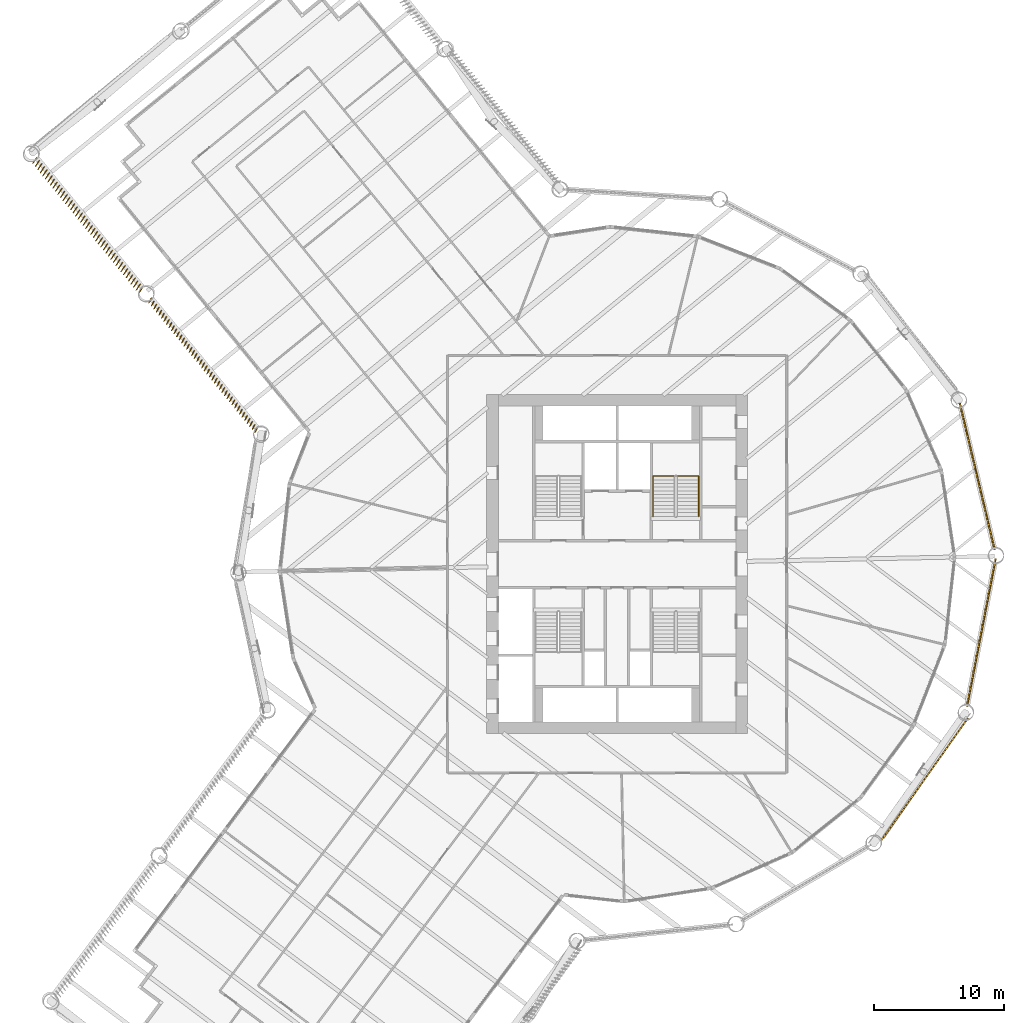
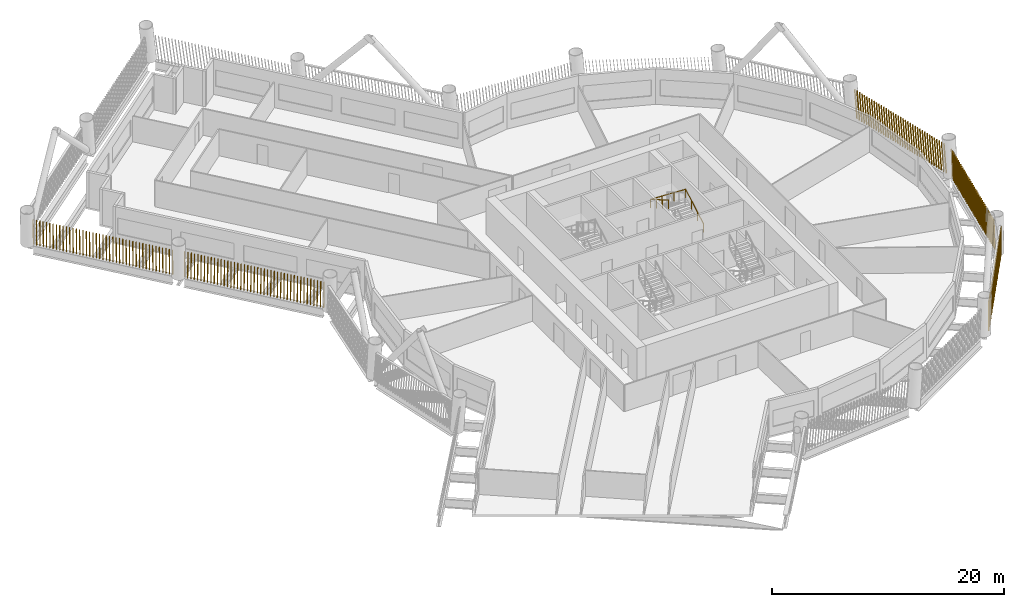
# One storey, part 20 of 22: 5 shading devices, 1 railing.
"""IFC4 building model written with IfcOpenShell, lengths in metres."""

import ifcopenshell
import ifcopenshell.guid

model = None  # the IFC model being written
_history = None  # IfcOwnerHistory: only IFC2X3 demands one
_inside = {}  # id of a spatial element -> (the spatial element, [elements in it])
_under = {}  # id of a project, library or spatial element -> (it, [spatial elements below it])
_declared = {}  # id of a project -> (the project, [libraries it declares])
_typed = {}  # id of a type object -> (the type object, [elements of that type])
_made_of = {}  # id of a material, layer set ... -> (it, [elements and type objects made of it])


def new_model(schema):
    """Start an empty IFC model of exactly this schema.

    Asked for "IFC4X3", IfcOpenShell would pick the latest addendum, in which some entities
    have other attributes; the version numbers below select the first issue.
    IFC2X3 requires an IfcOwnerHistory on every rooted entity: one is made here for all.
    """
    global model, _history
    if schema == "IFC4X3":
        model = ifcopenshell.file(schema_version=(4, 3, 0, 0))
    else:
        model = ifcopenshell.file(schema=schema)
    _inside.clear()
    _under.clear()
    _declared.clear()
    _typed.clear()
    _made_of.clear()
    _history = None
    if model.schema == "IFC2X3":
        org = make("IfcOrganization", Name="unknown")
        user = make(
            "IfcPersonAndOrganization",
            ThePerson=make("IfcPerson", FamilyName="unknown"),
            TheOrganization=org,
        )
        app = make(
            "IfcApplication",
            ApplicationDeveloper=org,
            Version="unknown",
            ApplicationFullName="unknown",
            ApplicationIdentifier="unknown",
        )
        _history = make(
            "IfcOwnerHistory",
            OwningUser=user,
            OwningApplication=app,
            ChangeAction="ADDED",
            CreationDate=0,
        )
    return model


def make(cls, **values):
    """One entity of the class cls with the attributes given. An attribute that is None is left unset."""
    return model.create_entity(
        cls, **{name: value for name, value in values.items() if value is not None}
    )


def rooted(cls, **values):
    """An entity with a GlobalId (a new one), such as an element, a storey or a relation."""
    return make(cls, GlobalId=ifcopenshell.guid.new(), OwnerHistory=_history, **values)


def si_unit(unit_type, name, prefix=None):
    """IfcSIUnit, for example si_unit("LENGTHUNIT", "METRE", prefix="MILLI")."""
    return make("IfcSIUnit", UnitType=unit_type, Prefix=prefix, Name=name)


def assignment(units):
    """IfcUnitAssignment: the units of a project."""
    return None if units is None else make("IfcUnitAssignment", Units=units)


def point(xyz):
    """IfcCartesianPoint."""
    return None if xyz is None else make("IfcCartesianPoint", Coordinates=xyz)


def direction(xyz):
    """IfcDirection."""
    return None if xyz is None else make("IfcDirection", DirectionRatios=xyz)


def frame(location, z_axis=None, x_axis=None):
    """IfcAxis2Placement3D, a coordinate frame: its origin and axes. An axis left out is left unset."""
    return make(
        "IfcAxis2Placement3D",
        Location=point(location),
        Axis=direction(z_axis),
        RefDirection=direction(x_axis),
    )


def frame_2d(location, x_axis=None):
    """IfcAxis2Placement2D, a coordinate frame in the plane: its origin and x axis."""
    return make(
        "IfcAxis2Placement2D", Location=point(location), RefDirection=direction(x_axis)
    )


def origin():
    """The frame at (0, 0, 0) with its axes left unset."""
    return frame((0.0, 0.0, 0.0))


def origin_2d():
    """The frame at (0, 0) in the plane with its x axis left unset."""
    return frame_2d((0.0, 0.0))


def place(relative_to, where):
    """IfcLocalPlacement: puts the frame where relative to a parent placement (None: the world)."""
    return make(
        "IfcLocalPlacement", PlacementRelTo=relative_to, RelativePlacement=where
    )


def context(
    kind, dimensions, precision=None, world=None, true_north=None, identifier=None
):
    """IfcGeometricRepresentationContext, for example the 3D "Model" context."""
    return make(
        "IfcGeometricRepresentationContext",
        ContextIdentifier=identifier,
        ContextType=kind,
        CoordinateSpaceDimension=dimensions,
        Precision=precision,
        WorldCoordinateSystem=world,
        TrueNorth=true_north,
    )


def subcontext(parent, identifier, kind, view, scale=None):
    """IfcGeometricRepresentationSubContext, for example "Body" below "Model"."""
    return make(
        "IfcGeometricRepresentationSubContext",
        ContextIdentifier=identifier,
        ContextType=kind,
        ParentContext=parent,
        TargetScale=scale,
        TargetView=view,
    )


def project(units=None, contexts=None):
    """IfcProject with its units and contexts."""
    return rooted(
        "IfcProject",
        Name="project",
        RepresentationContexts=contexts,
        UnitsInContext=assignment(units),
    )


def spatial(cls, under=None, at=None, **own):
    """A site, building, storey or space (cls), placed at a placement, below another one or the project."""
    s = rooted(cls, ObjectPlacement=at, **own)
    if under is not None:
        _under.setdefault(under.id(), (under, []))[1].append(s)
    return s


def profile(cls, at=None, kind="AREA", **sizes):
    """A parametric profile (cls). Its sizes go by their IFC names, for example OverallWidth=200.0."""
    return make(cls, ProfileType=kind, Position=at, **sizes)


def rectangle(**sizes):
    """IfcRectangleProfileDef."""
    return profile("IfcRectangleProfileDef", **sizes)


def circle(**sizes):
    """IfcCircleProfileDef."""
    return profile("IfcCircleProfileDef", **sizes)


def composite_profile(profiles, kind="AREA"):
    """IfcCompositeProfileDef: several profiles as one."""
    return make("IfcCompositeProfileDef", ProfileType=kind, Profiles=profiles)


def extrude(swept, where, along, depth):
    """IfcExtrudedAreaSolid: the profile swept, set in the frame where, extruded along a direction by depth."""
    return make(
        "IfcExtrudedAreaSolid",
        SweptArea=swept,
        Position=where,
        ExtrudedDirection=direction(along),
        Depth=depth,
    )


def shape(context_of_items, identifier, shape_type, items):
    """IfcShapeRepresentation: the items that make up one representation, for example the "Body"."""
    return make(
        "IfcShapeRepresentation",
        ContextOfItems=context_of_items,
        RepresentationIdentifier=identifier,
        RepresentationType=shape_type,
        Items=items,
    )


def material(Name=None, Category=None):
    """IfcMaterial."""
    return make("IfcMaterial", Name=Name, Category=Category)


def made_of(thing, what):
    """Note that an element or type object is made of a material, layer set ...; save() writes the relation."""
    if what is not None:
        _made_of.setdefault(what.id(), (what, []))[1].append(thing)
    return thing


def type_object(cls, material=None, **own):
    """A type object (cls), such as IfcWallType, which elements share."""
    return made_of(rooted(cls, **own), material)


def element(
    cls,
    number,
    at=None,
    inside=None,
    cuts=None,
    type_object=None,
    material=None,
    context=None,
    identifier="Body",
    shape_type=None,
    held_by="IfcProductDefinitionShape",
    body=None,
    shapes=None,
    **own,
):
    """One element of the class cls, such as IfcWall. Its Tag is "e" and its number.

    at: its placement. inside: the storey or other place that contains it. cuts: it is an
    opening in that element (IfcRelVoidsElement). A single representation is given by context,
    identifier, shape_type and body (its items); several are given by shapes. held_by: the class
    of the entity that holds the representations. save() writes the other relations.
    """
    e = rooted(cls, Tag="e%d" % number, ObjectPlacement=at, **own)
    if body is not None:
        shapes = [shape(context, identifier, shape_type, body)]
    if shapes is not None:
        e.Representation = make(held_by, Representations=shapes)
    if inside is not None:
        _inside.setdefault(inside.id(), (inside, []))[1].append(e)
    if cuts is not None:
        rooted(
            "IfcRelVoidsElement", RelatingBuildingElement=cuts, RelatedOpeningElement=e
        )
    if type_object is not None:
        _typed.setdefault(type_object.id(), (type_object, []))[1].append(e)
    return made_of(e, material)


def aggregate(whole, parts):
    """IfcRelAggregates: a whole, such as a stair, and the parts it consists of."""
    return rooted("IfcRelAggregates", RelatingObject=whole, RelatedObjects=parts)


def save(model, path):
    """Write the relations noted so far, then the file.

    IfcRelAggregates (storeys below a building ...), IfcRelContainedInSpatialStructure (elements
    in a storey), IfcRelDefinesByType, IfcRelAssociatesMaterial and IfcRelDeclares: one each for
    every whole, place, type object, material and project.
    """
    for whole, parts in _under.values():
        aggregate(whole, parts)
    for where, things in _inside.values():
        rooted(
            "IfcRelContainedInSpatialStructure",
            RelatedElements=things,
            RelatingStructure=where,
        )
    for kind, things in _typed.values():
        rooted("IfcRelDefinesByType", RelatedObjects=things, RelatingType=kind)
    for what, things in _made_of.values():
        rooted("IfcRelAssociatesMaterial", RelatedObjects=things, RelatingMaterial=what)
    for by, libraries in _declared.values():
        rooted("IfcRelDeclares", RelatingContext=by, RelatedDefinitions=libraries)
    model.write(path)


model = new_model("IFC4")

# Units and contexts
model_context = context("Model", 3, precision=1e-05, world=origin(), true_north=direction((0.0, 1.0)))
body_context = subcontext(model_context, "Body", "Model", "MODEL_VIEW")
ifc_project = project(units=[si_unit("LENGTHUNIT", "METRE"), si_unit("AREAUNIT", "SQUARE_METRE"), si_unit("VOLUMEUNIT", "CUBIC_METRE"), si_unit("PLANEANGLEUNIT", "RADIAN"), si_unit("MASSUNIT", "GRAM", prefix="KILO")], contexts=[model_context])

# Site, building, storey
site_placement = place(None, origin())
site = spatial("IfcSite", under=ifc_project, at=site_placement, CompositionType="ELEMENT")
building_placement = place(site_placement, origin())
building = spatial("IfcBuilding", under=site, at=building_placement, Name="Tarsis Ring Headquarters", CompositionType="ELEMENT")
storey_placement = place(building_placement, frame((0.0, 0.0, 40.0)))
storey = spatial("IfcBuildingStorey", under=building, at=storey_placement, Name="L07", CompositionType="ELEMENT", Elevation=40.0)

# Railing
ifc_material_1 = material(Name="Steel S355", Category="steel")
railing_type = type_object("IfcRailingType", Name="Core stair handrail 900", PredefinedType="HANDRAIL", material=ifc_material_1)
railing_placement = place(storey_placement, frame((6.25, 3.659912109375, 0.16259765625)))
element("IfcRailing", 1, at=railing_placement, inside=storey, type_object=railing_type, Name="L07 ST2 stair handrail 1", PredefinedType="HANDRAIL", context=body_context, shape_type="SweptSolid", body=[
    extrude(circle(Radius=0.02392578125, at=origin_2d()), frame((0.0, 0.0, 0.8759765625), z_axis=(0.0, 0.864920483161, 0.501908913857), x_axis=(-1.0, 0.0, 0.0)), (0.0, 0.0, 1.0), 3.56103515625),
    extrude(circle(Radius=0.02392578125, at=origin_2d()), frame((0.0, 3.080078125, 2.6630859375), z_axis=(-0.998922641604, 0.0, 0.046406422943), x_axis=(0.0, -1.0, 0.0)), (0.0, 0.0, 1.0), 3.503662109375),
    extrude(circle(Radius=0.02392578125, at=origin_2d()), frame((-3.5, 3.080078125, 2.82568359375), z_axis=(0.0, -0.864920483161, 0.501908913857), x_axis=(1.0, 0.0, 0.0)), (0.0, 0.0, 1.0), 3.56103515625),
    extrude(circle(Radius=0.02099609375, at=origin_2d()), origin(), (0.0, 0.0, 1.0), 0.851806640625),
    extrude(circle(Radius=0.02099609375, at=origin_2d()), frame((0.0, 1.026611328125, 0.595703125)), (0.0, 0.0, 1.0), 0.851806640625),
    extrude(circle(Radius=0.02099609375, at=origin_2d()), frame((0.0, 2.053466796875, 1.191650390625)), (0.0, 0.0, 1.0), 0.851806640625),
    extrude(circle(Radius=0.02099609375, at=origin_2d()), frame((0.0, 3.080078125, 1.787353515625)), (0.0, 0.0, 1.0), 0.851806640625),
    extrude(circle(Radius=0.02099609375, at=origin_2d()), frame((-1.166748046875, 3.080078125, 1.841552734375)), (0.0, 0.0, 1.0), 0.851806640625),
    extrude(circle(Radius=0.02099609375, at=origin_2d()), frame((-2.333251953125, 3.080078125, 1.895751953125)), (0.0, 0.0, 1.0), 0.851806640625),
    extrude(circle(Radius=0.02099609375, at=origin_2d()), frame((-3.5, 3.080078125, 1.949951171875)), (0.0, 0.0, 1.0), 0.851806640625),
    extrude(circle(Radius=0.02099609375, at=origin_2d()), frame((-3.5, 2.053466796875, 2.545654296875)), (0.0, 0.0, 1.0), 0.851806640625),
    extrude(circle(Radius=0.02099609375, at=origin_2d()), frame((-3.5, 1.026611328125, 3.1416015625)), (0.0, 0.0, 1.0), 0.851806640625),
    extrude(circle(Radius=0.02099609375, at=origin_2d()), frame((-3.5, 0.0, 3.7373046875)), (0.0, 0.0, 1.0), 0.851806640625),
])

# Shading devices
ifc_material_2 = material(Name="Terracotta baguette", Category="masonry")
shading_device_type = type_object("IfcShadingDeviceType", Name="Terracotta baguette screen", PredefinedType="USERDEFINED", material=ifc_material_2)
shading_device_1_placement = place(storey_placement, frame((20.2255859375, -21.220458984375, 0.0), z_axis=(0.0, 0.0, 1.0), x_axis=(0.578057514921, 0.815995659251, 0.0)))
element("IfcShadingDevice", 2, at=shading_device_1_placement, inside=storey, type_object=shading_device_type, Name="Baguette screen L07-09", ObjectType="Terracotta baguette screen", PredefinedType="USERDEFINED", context=body_context, shape_type="SweptSolid", body=[
    extrude(composite_profile([rectangle(XDim=0.06005859375, YDim=0.1201171875, at=frame_2d((0.030029296875, 0.0))), rectangle(XDim=0.06005859375, YDim=0.1201171875, at=frame_2d((0.33251953125, 0.0))), rectangle(XDim=0.06005859375, YDim=0.1201171875, at=frame_2d((0.634765625, 0.0))), rectangle(XDim=0.06005859375, YDim=0.1201171875, at=frame_2d((0.937255859375, 0.0))), rectangle(XDim=0.06005859375, YDim=0.1201171875, at=frame_2d((1.239501953125, 0.0))), rectangle(XDim=0.06005859375, YDim=0.1201171875, at=frame_2d((1.5419921875, 0.0))), rectangle(XDim=0.06005859375, YDim=0.1201171875, at=frame_2d((1.844482421875, 0.0))), rectangle(XDim=0.06005859375, YDim=0.1201171875, at=frame_2d((2.146728515625, 0.0))), rectangle(XDim=0.06005859375, YDim=0.1201171875, at=frame_2d((2.44921875, 0.0))), rectangle(XDim=0.06005859375, YDim=0.1201171875, at=frame_2d((2.751708984375, 0.0))), rectangle(XDim=0.06005859375, YDim=0.1201171875, at=frame_2d((3.053955078125, 0.0))), rectangle(XDim=0.06005859375, YDim=0.1201171875, at=frame_2d((3.3564453125, 0.0))), rectangle(XDim=0.06005859375, YDim=0.1201171875, at=frame_2d((3.65869140625, 0.0))), rectangle(XDim=0.06005859375, YDim=0.1201171875, at=frame_2d((3.961181640625, 0.0))), rectangle(XDim=0.06005859375, YDim=0.1201171875, at=frame_2d((4.263671875, 0.0))), rectangle(XDim=0.06005859375, YDim=0.1201171875, at=frame_2d((4.56591796875, 0.0))), rectangle(XDim=0.06005859375, YDim=0.1201171875, at=frame_2d((4.868408203125, 0.0))), rectangle(XDim=0.06005859375, YDim=0.1201171875, at=frame_2d((5.1708984375, 0.0))), rectangle(XDim=0.06005859375, YDim=0.1201171875, at=frame_2d((5.47314453125, 0.0))), rectangle(XDim=0.06005859375, YDim=0.1201171875, at=frame_2d((5.775634765625, 0.0))), rectangle(XDim=0.06005859375, YDim=0.1201171875, at=frame_2d((6.077880859375, 0.0))), rectangle(XDim=0.06005859375, YDim=0.1201171875, at=frame_2d((6.38037109375, 0.0))), rectangle(XDim=0.06005859375, YDim=0.1201171875, at=frame_2d((6.682861328125, 0.0))), rectangle(XDim=0.06005859375, YDim=0.1201171875, at=frame_2d((6.985107421875, 0.0))), rectangle(XDim=0.06005859375, YDim=0.1201171875, at=frame_2d((7.28759765625, 0.0))), rectangle(XDim=0.06005859375, YDim=0.1201171875, at=frame_2d((7.590087890625, 0.0))), rectangle(XDim=0.06005859375, YDim=0.1201171875, at=frame_2d((7.892333984375, 0.0))), rectangle(XDim=0.06005859375, YDim=0.1201171875, at=frame_2d((8.19482421875, 0.0))), rectangle(XDim=0.06005859375, YDim=0.1201171875, at=frame_2d((8.4970703125, 0.0))), rectangle(XDim=0.06005859375, YDim=0.1201171875, at=frame_2d((8.799560546875, 0.0))), rectangle(XDim=0.06005859375, YDim=0.1201171875, at=frame_2d((9.10205078125, 0.0))), rectangle(XDim=0.06005859375, YDim=0.1201171875, at=frame_2d((9.404296875, 0.0))), rectangle(XDim=0.06005859375, YDim=0.1201171875, at=frame_2d((9.706787109375, 0.0))), rectangle(XDim=0.06005859375, YDim=0.1201171875, at=frame_2d((10.00927734375, 0.0))), rectangle(XDim=0.06005859375, YDim=0.1201171875, at=frame_2d((10.3115234375, 0.0))), rectangle(XDim=0.06005859375, YDim=0.1201171875, at=frame_2d((10.614013671875, 0.0))), rectangle(XDim=0.06005859375, YDim=0.1201171875, at=frame_2d((10.916259765625, 0.0))), rectangle(XDim=0.06005859375, YDim=0.1201171875, at=frame_2d((11.21875, 0.0)))]), origin(), (0.101510342478, 0.00053222353, 0.99483434154), 2.968017578125),
])
shading_device_2_placement = place(storey_placement, frame((26.80615234375, -10.92578125, 0.0), z_axis=(0.0, 0.0, 1.0), x_axis=(0.190320130222, 0.98172544764, 0.0)))
element("IfcShadingDevice", 3, at=shading_device_2_placement, inside=storey, type_object=shading_device_type, Name="Baguette screen L07-10", ObjectType="Terracotta baguette screen", PredefinedType="USERDEFINED", context=body_context, shape_type="SweptSolid", body=[
    extrude(composite_profile([rectangle(XDim=0.06005859375, YDim=0.1201171875, at=frame_2d((0.030029296875, 0.0))), rectangle(XDim=0.06005859375, YDim=0.1201171875, at=frame_2d((0.33251953125, 0.0))), rectangle(XDim=0.06005859375, YDim=0.1201171875, at=frame_2d((0.634765625, 0.0))), rectangle(XDim=0.06005859375, YDim=0.1201171875, at=frame_2d((0.937255859375, 0.0))), rectangle(XDim=0.06005859375, YDim=0.1201171875, at=frame_2d((1.239501953125, 0.0))), rectangle(XDim=0.06005859375, YDim=0.1201171875, at=frame_2d((1.5419921875, 0.0))), rectangle(XDim=0.06005859375, YDim=0.1201171875, at=frame_2d((1.844482421875, 0.0))), rectangle(XDim=0.06005859375, YDim=0.1201171875, at=frame_2d((2.146728515625, 0.0))), rectangle(XDim=0.06005859375, YDim=0.1201171875, at=frame_2d((2.44921875, 0.0))), rectangle(XDim=0.06005859375, YDim=0.1201171875, at=frame_2d((2.751708984375, 0.0))), rectangle(XDim=0.06005859375, YDim=0.1201171875, at=frame_2d((3.053955078125, 0.0))), rectangle(XDim=0.06005859375, YDim=0.1201171875, at=frame_2d((3.3564453125, 0.0))), rectangle(XDim=0.06005859375, YDim=0.1201171875, at=frame_2d((3.65869140625, 0.0))), rectangle(XDim=0.06005859375, YDim=0.1201171875, at=frame_2d((3.961181640625, 0.0))), rectangle(XDim=0.06005859375, YDim=0.1201171875, at=frame_2d((4.263671875, 0.0))), rectangle(XDim=0.06005859375, YDim=0.1201171875, at=frame_2d((4.56591796875, 0.0))), rectangle(XDim=0.06005859375, YDim=0.1201171875, at=frame_2d((4.868408203125, 0.0))), rectangle(XDim=0.06005859375, YDim=0.1201171875, at=frame_2d((5.1708984375, 0.0))), rectangle(XDim=0.06005859375, YDim=0.1201171875, at=frame_2d((5.47314453125, 0.0))), rectangle(XDim=0.06005859375, YDim=0.1201171875, at=frame_2d((5.775634765625, 0.0))), rectangle(XDim=0.06005859375, YDim=0.1201171875, at=frame_2d((6.077880859375, 0.0))), rectangle(XDim=0.06005859375, YDim=0.1201171875, at=frame_2d((6.38037109375, 0.0))), rectangle(XDim=0.06005859375, YDim=0.1201171875, at=frame_2d((6.682861328125, 0.0))), rectangle(XDim=0.06005859375, YDim=0.1201171875, at=frame_2d((6.985107421875, 0.0))), rectangle(XDim=0.06005859375, YDim=0.1201171875, at=frame_2d((7.28759765625, 0.0))), rectangle(XDim=0.06005859375, YDim=0.1201171875, at=frame_2d((7.590087890625, 0.0))), rectangle(XDim=0.06005859375, YDim=0.1201171875, at=frame_2d((7.892333984375, 0.0))), rectangle(XDim=0.06005859375, YDim=0.1201171875, at=frame_2d((8.19482421875, 0.0))), rectangle(XDim=0.06005859375, YDim=0.1201171875, at=frame_2d((8.4970703125, 0.0))), rectangle(XDim=0.06005859375, YDim=0.1201171875, at=frame_2d((8.799560546875, 0.0))), rectangle(XDim=0.06005859375, YDim=0.1201171875, at=frame_2d((9.10205078125, 0.0))), rectangle(XDim=0.06005859375, YDim=0.1201171875, at=frame_2d((9.404296875, 0.0))), rectangle(XDim=0.06005859375, YDim=0.1201171875, at=frame_2d((9.706787109375, 0.0))), rectangle(XDim=0.06005859375, YDim=0.1201171875, at=frame_2d((10.00927734375, 0.0))), rectangle(XDim=0.06005859375, YDim=0.1201171875, at=frame_2d((10.3115234375, 0.0))), rectangle(XDim=0.06005859375, YDim=0.1201171875, at=frame_2d((10.614013671875, 0.0))), rectangle(XDim=0.06005859375, YDim=0.1201171875, at=frame_2d((10.916259765625, 0.0))), rectangle(XDim=0.06005859375, YDim=0.1201171875, at=frame_2d((11.21875, 0.0)))]), origin(), (0.100200935644, 0.000524825707, 0.994967083402), 2.967529296875),
])
shading_device_3_placement = place(storey_placement, frame((28.926513671875, 1.0947265625, 0.0), z_axis=(0.0, 0.0, 1.0), x_axis=(-0.231248372255, 0.972892612206, 0.0)))
element("IfcShadingDevice", 4, at=shading_device_3_placement, inside=storey, type_object=shading_device_type, Name="Baguette screen L07-11", ObjectType="Terracotta baguette screen", PredefinedType="USERDEFINED", context=body_context, shape_type="SweptSolid", body=[
    extrude(composite_profile([rectangle(XDim=0.06005859375, YDim=0.1201171875, at=frame_2d((0.030029296875, 0.0))), rectangle(XDim=0.06005859375, YDim=0.1201171875, at=frame_2d((0.33251953125, 0.0))), rectangle(XDim=0.06005859375, YDim=0.1201171875, at=frame_2d((0.634765625, 0.0))), rectangle(XDim=0.06005859375, YDim=0.1201171875, at=frame_2d((0.937255859375, 0.0))), rectangle(XDim=0.06005859375, YDim=0.1201171875, at=frame_2d((1.239501953125, 0.0))), rectangle(XDim=0.06005859375, YDim=0.1201171875, at=frame_2d((1.5419921875, 0.0))), rectangle(XDim=0.06005859375, YDim=0.1201171875, at=frame_2d((1.844482421875, 0.0))), rectangle(XDim=0.06005859375, YDim=0.1201171875, at=frame_2d((2.146728515625, 0.0))), rectangle(XDim=0.06005859375, YDim=0.1201171875, at=frame_2d((2.44921875, 0.0))), rectangle(XDim=0.06005859375, YDim=0.1201171875, at=frame_2d((2.751708984375, 0.0))), rectangle(XDim=0.06005859375, YDim=0.1201171875, at=frame_2d((3.053955078125, 0.0))), rectangle(XDim=0.06005859375, YDim=0.1201171875, at=frame_2d((3.3564453125, 0.0))), rectangle(XDim=0.06005859375, YDim=0.1201171875, at=frame_2d((3.65869140625, 0.0))), rectangle(XDim=0.06005859375, YDim=0.1201171875, at=frame_2d((3.961181640625, 0.0))), rectangle(XDim=0.06005859375, YDim=0.1201171875, at=frame_2d((4.263671875, 0.0))), rectangle(XDim=0.06005859375, YDim=0.1201171875, at=frame_2d((4.56591796875, 0.0))), rectangle(XDim=0.06005859375, YDim=0.1201171875, at=frame_2d((4.868408203125, 0.0))), rectangle(XDim=0.06005859375, YDim=0.1201171875, at=frame_2d((5.1708984375, 0.0))), rectangle(XDim=0.06005859375, YDim=0.1201171875, at=frame_2d((5.47314453125, 0.0))), rectangle(XDim=0.06005859375, YDim=0.1201171875, at=frame_2d((5.775634765625, 0.0))), rectangle(XDim=0.06005859375, YDim=0.1201171875, at=frame_2d((6.077880859375, 0.0))), rectangle(XDim=0.06005859375, YDim=0.1201171875, at=frame_2d((6.38037109375, 0.0))), rectangle(XDim=0.06005859375, YDim=0.1201171875, at=frame_2d((6.682861328125, 0.0))), rectangle(XDim=0.06005859375, YDim=0.1201171875, at=frame_2d((6.985107421875, 0.0))), rectangle(XDim=0.06005859375, YDim=0.1201171875, at=frame_2d((7.28759765625, 0.0))), rectangle(XDim=0.06005859375, YDim=0.1201171875, at=frame_2d((7.590087890625, 0.0))), rectangle(XDim=0.06005859375, YDim=0.1201171875, at=frame_2d((7.892333984375, 0.0))), rectangle(XDim=0.06005859375, YDim=0.1201171875, at=frame_2d((8.19482421875, 0.0))), rectangle(XDim=0.06005859375, YDim=0.1201171875, at=frame_2d((8.4970703125, 0.0))), rectangle(XDim=0.06005859375, YDim=0.1201171875, at=frame_2d((8.799560546875, 0.0))), rectangle(XDim=0.06005859375, YDim=0.1201171875, at=frame_2d((9.10205078125, 0.0))), rectangle(XDim=0.06005859375, YDim=0.1201171875, at=frame_2d((9.404296875, 0.0))), rectangle(XDim=0.06005859375, YDim=0.1201171875, at=frame_2d((9.706787109375, 0.0))), rectangle(XDim=0.06005859375, YDim=0.1201171875, at=frame_2d((10.00927734375, 0.0))), rectangle(XDim=0.06005859375, YDim=0.1201171875, at=frame_2d((10.3115234375, 0.0))), rectangle(XDim=0.06005859375, YDim=0.1201171875, at=frame_2d((10.614013671875, 0.0))), rectangle(XDim=0.06005859375, YDim=0.1201171875, at=frame_2d((10.916259765625, 0.0))), rectangle(XDim=0.06005859375, YDim=0.1201171875, at=frame_2d((11.21875, 0.0)))]), origin(), (0.100200086155, 0.00052570564, 0.994967168488), 2.967529296875),
])
shading_device_4_placement = place(storey_placement, frame((-44.5244140625, 31.175537109375, 0.0), z_axis=(0.0, 0.0, 1.0), x_axis=(0.632039055404, -0.774939448986, 0.0)))
element("IfcShadingDevice", 5, at=shading_device_4_placement, inside=storey, type_object=shading_device_type, Name="Baguette screen L07-19", ObjectType="Terracotta baguette screen", PredefinedType="USERDEFINED", context=body_context, shape_type="SweptSolid", body=[
    extrude(composite_profile([rectangle(XDim=0.06005859375, YDim=0.1201171875, at=frame_2d((0.030029296875, 0.0))), rectangle(XDim=0.06005859375, YDim=0.1201171875, at=frame_2d((0.335693359375, 0.0))), rectangle(XDim=0.06005859375, YDim=0.1201171875, at=frame_2d((0.6416015625, 0.0))), rectangle(XDim=0.06005859375, YDim=0.1201171875, at=frame_2d((0.947265625, 0.0))), rectangle(XDim=0.06005859375, YDim=0.1201171875, at=frame_2d((1.253173828125, 0.0))), rectangle(XDim=0.06005859375, YDim=0.1201171875, at=frame_2d((1.558837890625, 0.0))), rectangle(XDim=0.06005859375, YDim=0.1201171875, at=frame_2d((1.864501953125, 0.0))), rectangle(XDim=0.06005859375, YDim=0.1201171875, at=frame_2d((2.17041015625, 0.0))), rectangle(XDim=0.06005859375, YDim=0.1201171875, at=frame_2d((2.47607421875, 0.0))), rectangle(XDim=0.06005859375, YDim=0.1201171875, at=frame_2d((2.781982421875, 0.0))), rectangle(XDim=0.06005859375, YDim=0.1201171875, at=frame_2d((3.087646484375, 0.0))), rectangle(XDim=0.06005859375, YDim=0.1201171875, at=frame_2d((3.393310546875, 0.0))), rectangle(XDim=0.06005859375, YDim=0.1201171875, at=frame_2d((3.69921875, 0.0))), rectangle(XDim=0.06005859375, YDim=0.1201171875, at=frame_2d((4.0048828125, 0.0))), rectangle(XDim=0.06005859375, YDim=0.1201171875, at=frame_2d((4.310791015625, 0.0))), rectangle(XDim=0.06005859375, YDim=0.1201171875, at=frame_2d((4.616455078125, 0.0))), rectangle(XDim=0.06005859375, YDim=0.1201171875, at=frame_2d((4.922119140625, 0.0))), rectangle(XDim=0.06005859375, YDim=0.1201171875, at=frame_2d((5.22802734375, 0.0))), rectangle(XDim=0.06005859375, YDim=0.1201171875, at=frame_2d((5.53369140625, 0.0))), rectangle(XDim=0.06005859375, YDim=0.1201171875, at=frame_2d((5.839599609375, 0.0))), rectangle(XDim=0.06005859375, YDim=0.1201171875, at=frame_2d((6.145263671875, 0.0))), rectangle(XDim=0.06005859375, YDim=0.1201171875, at=frame_2d((6.451171875, 0.0))), rectangle(XDim=0.06005859375, YDim=0.1201171875, at=frame_2d((6.7568359375, 0.0))), rectangle(XDim=0.06005859375, YDim=0.1201171875, at=frame_2d((7.0625, 0.0))), rectangle(XDim=0.06005859375, YDim=0.1201171875, at=frame_2d((7.368408203125, 0.0))), rectangle(XDim=0.06005859375, YDim=0.1201171875, at=frame_2d((7.674072265625, 0.0))), rectangle(XDim=0.06005859375, YDim=0.1201171875, at=frame_2d((7.97998046875, 0.0))), rectangle(XDim=0.06005859375, YDim=0.1201171875, at=frame_2d((8.28564453125, 0.0))), rectangle(XDim=0.06005859375, YDim=0.1201171875, at=frame_2d((8.59130859375, 0.0))), rectangle(XDim=0.06005859375, YDim=0.1201171875, at=frame_2d((8.897216796875, 0.0))), rectangle(XDim=0.06005859375, YDim=0.1201171875, at=frame_2d((9.202880859375, 0.0))), rectangle(XDim=0.06005859375, YDim=0.1201171875, at=frame_2d((9.5087890625, 0.0))), rectangle(XDim=0.06005859375, YDim=0.1201171875, at=frame_2d((9.814453125, 0.0))), rectangle(XDim=0.06005859375, YDim=0.1201171875, at=frame_2d((10.1201171875, 0.0))), rectangle(XDim=0.06005859375, YDim=0.1201171875, at=frame_2d((10.426025390625, 0.0))), rectangle(XDim=0.06005859375, YDim=0.1201171875, at=frame_2d((10.731689453125, 0.0))), rectangle(XDim=0.06005859375, YDim=0.1201171875, at=frame_2d((11.03759765625, 0.0))), rectangle(XDim=0.06005859375, YDim=0.1201171875, at=frame_2d((11.34326171875, 0.0))), rectangle(XDim=0.06005859375, YDim=0.1201171875, at=frame_2d((11.64892578125, 0.0))), rectangle(XDim=0.06005859375, YDim=0.1201171875, at=frame_2d((11.954833984375, 0.0))), rectangle(XDim=0.06005859375, YDim=0.1201171875, at=frame_2d((12.260498046875, 0.0))), rectangle(XDim=0.06005859375, YDim=0.1201171875, at=frame_2d((12.56640625, 0.0))), rectangle(XDim=0.06005859375, YDim=0.1201171875, at=frame_2d((12.8720703125, 0.0)))]), origin(), (0.052577056181, -0.160013893836, 0.985713552176), 2.995361328125),
])
shading_device_5_placement = place(storey_placement, frame((-35.73779296875, 20.402099609375, 0.0), z_axis=(0.0, 0.0, 1.0), x_axis=(0.632039055404, -0.774939448986, 0.0)))
element("IfcShadingDevice", 6, at=shading_device_5_placement, inside=storey, type_object=shading_device_type, Name="Baguette screen L07-20", ObjectType="Terracotta baguette screen", PredefinedType="USERDEFINED", context=body_context, shape_type="SweptSolid", body=[
    extrude(composite_profile([rectangle(XDim=0.06005859375, YDim=0.1201171875, at=frame_2d((0.030029296875, 0.0))), rectangle(XDim=0.06005859375, YDim=0.1201171875, at=frame_2d((0.335693359375, 0.0))), rectangle(XDim=0.06005859375, YDim=0.1201171875, at=frame_2d((0.6416015625, 0.0))), rectangle(XDim=0.06005859375, YDim=0.1201171875, at=frame_2d((0.947265625, 0.0))), rectangle(XDim=0.06005859375, YDim=0.1201171875, at=frame_2d((1.253173828125, 0.0))), rectangle(XDim=0.06005859375, YDim=0.1201171875, at=frame_2d((1.558837890625, 0.0))), rectangle(XDim=0.06005859375, YDim=0.1201171875, at=frame_2d((1.864501953125, 0.0))), rectangle(XDim=0.06005859375, YDim=0.1201171875, at=frame_2d((2.17041015625, 0.0))), rectangle(XDim=0.06005859375, YDim=0.1201171875, at=frame_2d((2.47607421875, 0.0))), rectangle(XDim=0.06005859375, YDim=0.1201171875, at=frame_2d((2.781982421875, 0.0))), rectangle(XDim=0.06005859375, YDim=0.1201171875, at=frame_2d((3.087646484375, 0.0))), rectangle(XDim=0.06005859375, YDim=0.1201171875, at=frame_2d((3.393310546875, 0.0))), rectangle(XDim=0.06005859375, YDim=0.1201171875, at=frame_2d((3.69921875, 0.0))), rectangle(XDim=0.06005859375, YDim=0.1201171875, at=frame_2d((4.0048828125, 0.0))), rectangle(XDim=0.06005859375, YDim=0.1201171875, at=frame_2d((4.310791015625, 0.0))), rectangle(XDim=0.06005859375, YDim=0.1201171875, at=frame_2d((4.616455078125, 0.0))), rectangle(XDim=0.06005859375, YDim=0.1201171875, at=frame_2d((4.922119140625, 0.0))), rectangle(XDim=0.06005859375, YDim=0.1201171875, at=frame_2d((5.22802734375, 0.0))), rectangle(XDim=0.06005859375, YDim=0.1201171875, at=frame_2d((5.53369140625, 0.0))), rectangle(XDim=0.06005859375, YDim=0.1201171875, at=frame_2d((5.839599609375, 0.0))), rectangle(XDim=0.06005859375, YDim=0.1201171875, at=frame_2d((6.145263671875, 0.0))), rectangle(XDim=0.06005859375, YDim=0.1201171875, at=frame_2d((6.451171875, 0.0))), rectangle(XDim=0.06005859375, YDim=0.1201171875, at=frame_2d((6.7568359375, 0.0))), rectangle(XDim=0.06005859375, YDim=0.1201171875, at=frame_2d((7.0625, 0.0))), rectangle(XDim=0.06005859375, YDim=0.1201171875, at=frame_2d((7.368408203125, 0.0))), rectangle(XDim=0.06005859375, YDim=0.1201171875, at=frame_2d((7.674072265625, 0.0))), rectangle(XDim=0.06005859375, YDim=0.1201171875, at=frame_2d((7.97998046875, 0.0))), rectangle(XDim=0.06005859375, YDim=0.1201171875, at=frame_2d((8.28564453125, 0.0))), rectangle(XDim=0.06005859375, YDim=0.1201171875, at=frame_2d((8.59130859375, 0.0))), rectangle(XDim=0.06005859375, YDim=0.1201171875, at=frame_2d((8.897216796875, 0.0))), rectangle(XDim=0.06005859375, YDim=0.1201171875, at=frame_2d((9.202880859375, 0.0))), rectangle(XDim=0.06005859375, YDim=0.1201171875, at=frame_2d((9.5087890625, 0.0))), rectangle(XDim=0.06005859375, YDim=0.1201171875, at=frame_2d((9.814453125, 0.0))), rectangle(XDim=0.06005859375, YDim=0.1201171875, at=frame_2d((10.1201171875, 0.0))), rectangle(XDim=0.06005859375, YDim=0.1201171875, at=frame_2d((10.426025390625, 0.0))), rectangle(XDim=0.06005859375, YDim=0.1201171875, at=frame_2d((10.731689453125, 0.0))), rectangle(XDim=0.06005859375, YDim=0.1201171875, at=frame_2d((11.03759765625, 0.0))), rectangle(XDim=0.06005859375, YDim=0.1201171875, at=frame_2d((11.34326171875, 0.0))), rectangle(XDim=0.06005859375, YDim=0.1201171875, at=frame_2d((11.64892578125, 0.0))), rectangle(XDim=0.06005859375, YDim=0.1201171875, at=frame_2d((11.954833984375, 0.0))), rectangle(XDim=0.06005859375, YDim=0.1201171875, at=frame_2d((12.260498046875, 0.0))), rectangle(XDim=0.06005859375, YDim=0.1201171875, at=frame_2d((12.56640625, 0.0))), rectangle(XDim=0.06005859375, YDim=0.1201171875, at=frame_2d((12.8720703125, 0.0)))]), origin(), (0.05267254706, -0.112156368093, 0.992293581498), 2.9755859375),
])

save(model, "model.ifc")
